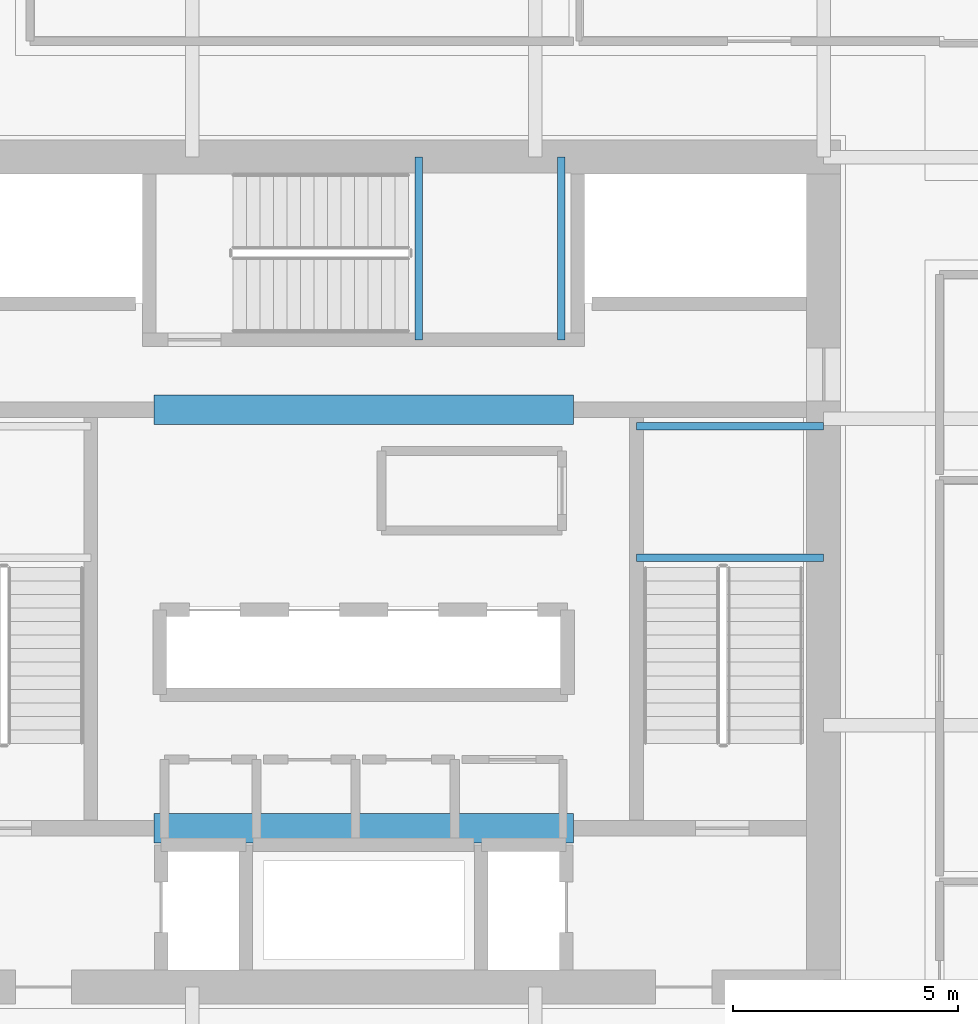
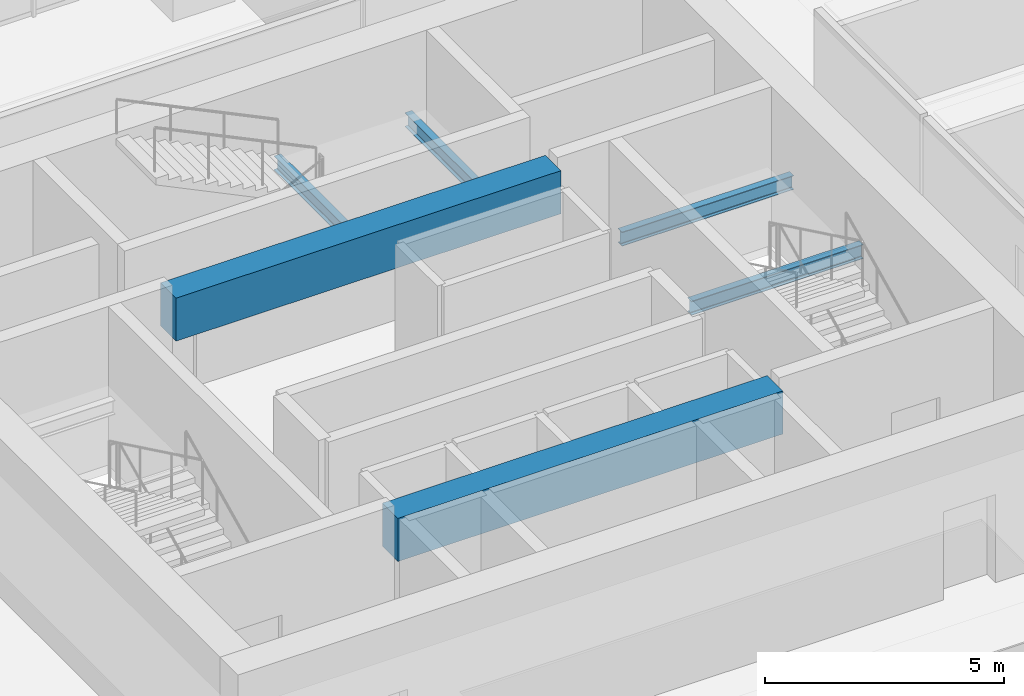
# One storey, part 11 of 35: 6 beams.
"""IFC4 building model written with IfcOpenShell, lengths in metres."""

from ifc_helpers import new_model, si_unit, direction, frame, origin, origin_2d, place, context, subcontext, project, spatial, rectangle, i_section, extrude, material, material_profile, profile_set, type_object, element, save


model = new_model("IFC4")

# Units and contexts
model_context = context("Model", 3, precision=1e-05, world=origin(), true_north=direction((0.0, 1.0)))
body_context = subcontext(model_context, "Body", "Model", "MODEL_VIEW")
ifc_project = project(units=[si_unit("LENGTHUNIT", "METRE"), si_unit("AREAUNIT", "SQUARE_METRE"), si_unit("VOLUMEUNIT", "CUBIC_METRE"), si_unit("PLANEANGLEUNIT", "RADIAN"), si_unit("MASSUNIT", "GRAM", prefix="KILO")], contexts=[model_context])

# Site, building, storey
site_placement = place(None, origin())
site = spatial("IfcSite", under=ifc_project, at=site_placement, CompositionType="ELEMENT")
building_placement = place(site_placement, origin())
building = spatial("IfcBuilding", under=site, at=building_placement, Name="Punatoya Terracotta Tower", CompositionType="ELEMENT")
storey_placement = place(building_placement, frame((0.0, 0.0, 72.75)))
storey = spatial("IfcBuildingStorey", under=building, at=storey_placement, Name="L16", CompositionType="ELEMENT", Elevation=72.75)

# Beams
ifc_material_1 = material(Name="Concrete C60/75", Category="concrete")
ifc_material_profile_1 = material_profile(ifc_material_1, rectangle(XDim=0.64990234375, YDim=1.10009765625, at=origin_2d()))
ifc_profile_set_1 = profile_set([ifc_material_profile_1], Name="Concrete C60/75")
beam_type_1 = type_object("IfcBeamType", Name="BM-RC-1100", PredefinedType="LINTEL", material=ifc_profile_set_1)
for number, where, z_axis, x_axis, name in (
    (1, (-4.64990234375, -5.679931640625, 3.260009765625), (1.0, 0.0, 0.0), (0.0, 1.0, 0.0), "L16 Core Coupling Lintel CSW"),
    (2, (-4.64990234375, 3.60009765625, 3.260009765625), (1.0, 0.0, 0.0), (0.0, 1.0, 0.0), "L16 Core Coupling Lintel CNW"),
):
    element("IfcBeam", number, at=place(storey_placement, frame(where, z_axis=z_axis, x_axis=x_axis)), inside=storey, type_object=beam_type_1, Name=name, PredefinedType="LINTEL", context=body_context, shape_type="SweptSolid", body=[
        extrude(rectangle(XDim=0.64990234375, YDim=1.10009765625, at=origin_2d()), origin(), (0.0, 0.0, 1.0), 9.2998046875),
    ])
ifc_material_2 = material(Name="Steel S355", Category="steel")
ifc_material_profile_2 = material_profile(ifc_material_2, i_section(OverallWidth=0.169921875, OverallDepth=0.360107421875, WebThickness=0.008056640625, FlangeThickness=0.0126953125, FilletRadius=0.01806640625, at=origin_2d()))
ifc_profile_set_2 = profile_set([ifc_material_profile_2], Name="Steel S355")
beam_type_2 = type_object("IfcBeamType", Name="BM-SEC-360", PredefinedType="JOIST", material=ifc_profile_set_2)
for number, where, z_axis, x_axis, name in (
    (3, (6.050048828125, 0.320068359375, 1.64501953125), (1.0, 0.0, 0.0), (0.0, 1.0, 0.0), "BM-L16-ST-2-LD1A"),
    (4, (6.050048828125, 3.22998046875, 1.64501953125), (1.0, 0.0, 0.0), (0.0, 1.0, 0.0), "BM-L16-ST-2-LD1B"),
):
    element("IfcBeam", number, at=place(storey_placement, frame(where, z_axis=z_axis, x_axis=x_axis)), inside=storey, type_object=beam_type_2, Name=name, PredefinedType="JOIST", context=body_context, shape_type="SweptSolid", body=[
        extrude(i_section(OverallWidth=0.169921875, OverallDepth=0.360107421875, WebThickness=0.008056640625, FlangeThickness=0.0126953125, FilletRadius=0.01806640625, at=origin_2d()), origin(), (0.0, 0.0, 1.0), 4.14990234375),
    ])
for number, where, z_axis, x_axis, name in (
    (5, (1.219970703125, 5.14990234375, 1.64501953125), (0.0, 1.0, 0.0), (-1.0, 0.0, 0.0), "BM-L16-ST-3-LD1A"),
    (6, (4.3798828125, 5.14990234375, 1.64501953125), (0.0, 1.0, 0.0), (-1.0, 0.0, 0.0), "BM-L16-ST-3-LD1B"),
):
    element("IfcBeam", number, at=place(storey_placement, frame(where, z_axis=z_axis, x_axis=x_axis)), inside=storey, type_object=beam_type_2, Name=name, PredefinedType="JOIST", context=body_context, shape_type="SweptSolid", body=[
        extrude(i_section(OverallWidth=0.169921875, OverallDepth=0.360107421875, WebThickness=0.008056640625, FlangeThickness=0.0126953125, FilletRadius=0.01806640625, at=origin_2d()), origin(), (0.0, 0.0, 1.0), 4.050048828125),
    ])

save(model, "model.ifc")
